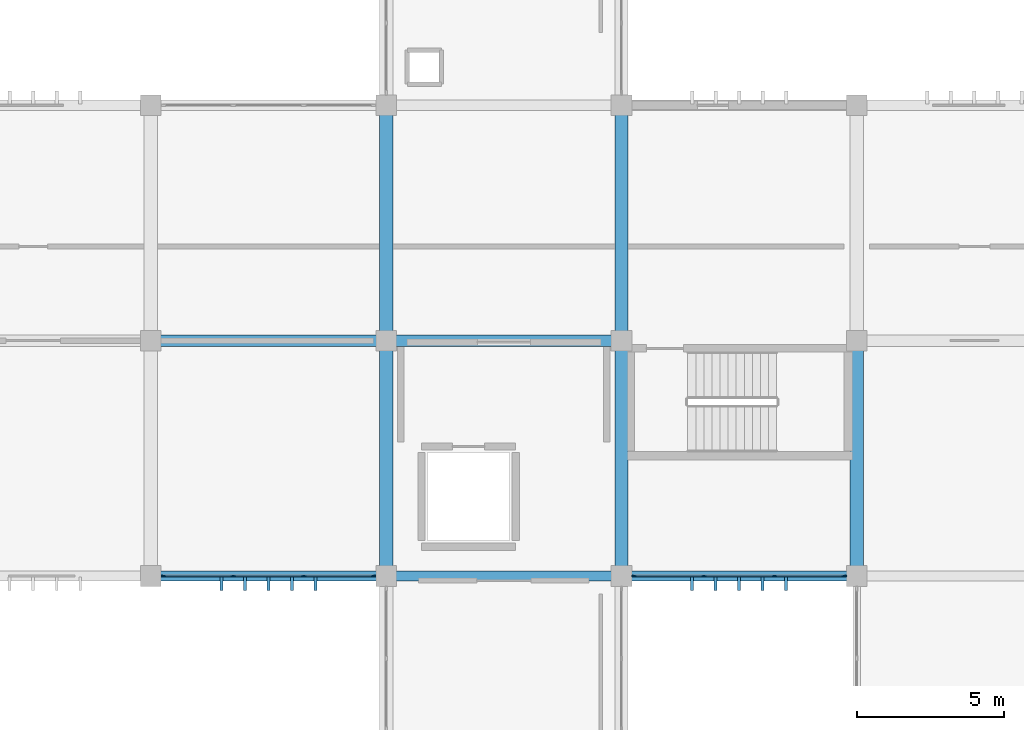
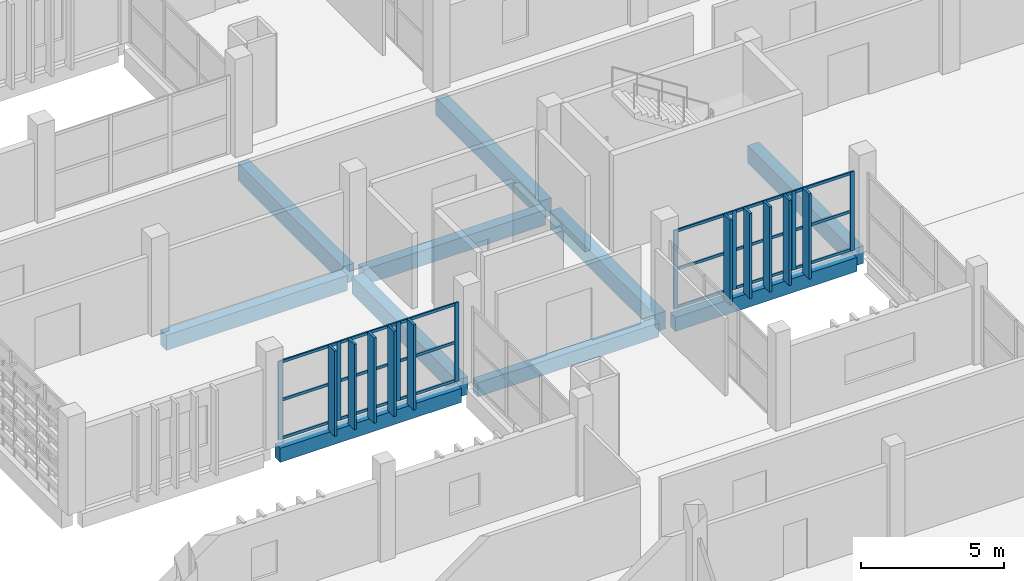
# One storey, part 58 of 137: 36 members, 10 beams, 2 elements without a shape of their own.
"""IFC4 building model written with IfcOpenShell, lengths in metres."""

from ifc_helpers import new_model, si_unit, direction, frame, origin, origin_2d, place, context, subcontext, project, spatial, rectangle, extrude, material, layer, layer_set, material_profile, profile_set, type_object, element, aggregate, save


model = new_model("IFC4")

# Units and contexts
model_context = context("Model", 3, precision=1e-05, world=origin(), true_north=direction((0.0, 1.0)))
body_context = subcontext(model_context, "Body", "Model", "MODEL_VIEW")
ifc_project = project(units=[si_unit("LENGTHUNIT", "METRE"), si_unit("AREAUNIT", "SQUARE_METRE"), si_unit("VOLUMEUNIT", "CUBIC_METRE"), si_unit("PLANEANGLEUNIT", "RADIAN"), si_unit("MASSUNIT", "GRAM", prefix="KILO")], contexts=[model_context])

# Site, building, storey
site_placement = place(None, origin())
site = spatial("IfcSite", under=ifc_project, at=site_placement, CompositionType="ELEMENT")
building_placement = place(site_placement, origin())
building = spatial("IfcBuilding", under=site, at=building_placement, Name="Jelvoka-Kovrelna Polytechnic", CompositionType="ELEMENT")
storey_placement = place(building_placement, frame((0.0, 0.0, 9.60009765625)))
storey = spatial("IfcBuildingStorey", under=building, at=storey_placement, Name="L03", CompositionType="ELEMENT", Elevation=9.60009765625)

# Beams
ifc_material_1 = material(Name="Concrete C40/50", Category="concrete")
ifc_material_profile_1 = material_profile(ifc_material_1, rectangle(XDim=0.39990234375, YDim=0.64990234375, at=origin_2d()), Name="RC 400x650")
ifc_profile_set_1 = profile_set([ifc_material_profile_1], Name="Concrete C40/50")
beam_type_1 = type_object("IfcBeamType", Name="Beam_RC_400x650", PredefinedType="BEAM", material=ifc_profile_set_1)
for number, where, z_axis, x_axis, name in (
    (1, (136.330078125, 40.0, -0.590087890625), (1.0, 0.0, 0.0), (0.0, 1.0, 0.0), "L03 beam 0968"),
    (2, (144.330078125, 40.0, -0.590087890625), (1.0, 0.0, 0.0), (0.0, 1.0, 0.0), "L03 beam 0969"),
):
    element("IfcBeam", number, at=place(storey_placement, frame(where, z_axis=z_axis, x_axis=x_axis)), inside=storey, type_object=beam_type_1, Name=name, PredefinedType="BEAM", context=body_context, shape_type="SweptSolid", body=[
        extrude(rectangle(XDim=0.39990234375, YDim=0.64990234375, at=origin_2d()), origin(), (0.0, 0.0, 1.0), 7.33984375),
    ])
ifc_material_2 = material(Name="Concrete C40/50", Category="concrete")
ifc_material_profile_2 = material_profile(ifc_material_2, rectangle(XDim=0.449951171875, YDim=0.75, at=origin_2d()), Name="RC 450x750")
ifc_profile_set_2 = profile_set([ifc_material_profile_2], Name="Concrete C40/50")
beam_type_2 = type_object("IfcBeamType", Name="Beam_RC_450x750", PredefinedType="BEAM", material=ifc_profile_set_2)
for number, where, z_axis, x_axis, name in (
    (3, (144.0, 32.330078125, -0.64013671875), (0.0, 1.0, 0.0), (-1.0, 0.0, 0.0), "L03 beam 0988"),
    (4, (144.0, 40.330078125, -0.64013671875), (0.0, 1.0, 0.0), (-1.0, 0.0, 0.0), "L03 beam 0989"),
    (5, (152.0, 32.330078125, -0.64013671875), (0.0, 1.0, 0.0), (-1.0, 0.0, 0.0), "L03 beam 0990"),
    (6, (152.0, 40.330078125, -0.64013671875), (0.0, 1.0, 0.0), (-1.0, 0.0, 0.0), "L03 beam 0991"),
    (7, (160.0, 32.330078125, -0.64013671875), (0.0, 1.0, 0.0), (-1.0, 0.0, 0.0), "L03 beam 0992"),
):
    element("IfcBeam", number, at=place(storey_placement, frame(where, z_axis=z_axis, x_axis=x_axis)), inside=storey, type_object=beam_type_2, Name=name, PredefinedType="BEAM", context=body_context, shape_type="SweptSolid", body=[
        extrude(rectangle(XDim=0.449951171875, YDim=0.75, at=origin_2d()), origin(), (0.0, 0.0, 1.0), 7.33984375),
    ])

# Members
ifc_material_3 = material(Name="Precast concrete C40/50", Category="concrete")
ifc_material_profile_3 = material_profile(ifc_material_3, rectangle(XDim=0.10009765625, YDim=0.449951171875, at=origin_2d()), Name="PC 100x450")
ifc_profile_set_3 = profile_set([ifc_material_profile_3], Name="Precast concrete C40/50")
member_type_1 = type_object("IfcMemberType", Name="Louvre_Fin_100x450", PredefinedType="USERDEFINED", material=ifc_profile_set_3)
for number, where, z_axis, x_axis, name in (
    (8, (138.39990234375, 31.735107421875, -0.27001953125), (0.0, 0.0, 1.0), (1.0, 0.0, 0.0), "L03 B2E south vertical solar louvre fin 0946"),
    (9, (139.199951171875, 31.735107421875, -0.27001953125), (0.0, 0.0, 1.0), (1.0, 0.0, 0.0), "L03 B2E south vertical solar louvre fin 0947"),
    (10, (140.0, 31.735107421875, -0.27001953125), (0.0, 0.0, 1.0), (1.0, 0.0, 0.0), "L03 B2E south vertical solar louvre fin 0948"),
    (11, (140.800048828125, 31.735107421875, -0.27001953125), (0.0, 0.0, 1.0), (1.0, 0.0, 0.0), "L03 B2E south vertical solar louvre fin 0949"),
    (12, (141.60009765625, 31.735107421875, -0.27001953125), (0.0, 0.0, 1.0), (1.0, 0.0, 0.0), "L03 B2E south vertical solar louvre fin 0950"),
    (13, (154.39990234375, 31.735107421875, -0.27001953125), (0.0, 0.0, 1.0), (1.0, 0.0, 0.0), "L03 B2E south vertical solar louvre fin 0951"),
    (14, (155.199951171875, 31.735107421875, -0.27001953125), (0.0, 0.0, 1.0), (1.0, 0.0, 0.0), "L03 B2E south vertical solar louvre fin 0952"),
    (15, (156.0, 31.735107421875, -0.27001953125), (0.0, 0.0, 1.0), (1.0, 0.0, 0.0), "L03 B2E south vertical solar louvre fin 0953"),
    (16, (156.800048828125, 31.735107421875, -0.27001953125), (0.0, 0.0, 1.0), (1.0, 0.0, 0.0), "L03 B2E south vertical solar louvre fin 0954"),
    (17, (157.60009765625, 31.735107421875, -0.27001953125), (0.0, 0.0, 1.0), (1.0, 0.0, 0.0), "L03 B2E south vertical solar louvre fin 0955"),
):
    element("IfcMember", number, at=place(storey_placement, frame(where, z_axis=z_axis, x_axis=x_axis)), inside=storey, type_object=member_type_1, Name=name, ObjectType="SUNSHADE", PredefinedType="USERDEFINED", context=body_context, shape_type="SweptSolid", body=[
        extrude(rectangle(XDim=0.10009765625, YDim=0.449951171875, at=origin_2d()), origin(), (0.0, 0.0, 1.0), 3.64501953125),
    ])

# Curtain wall, members
ifc_material_4 = material(Name="Anodised aluminium 6063-T6", Category="aluminium")
ifc_layer = layer(ifc_material_4, 0.159912109375)
ifc_layer_set = layer_set([ifc_layer], Name="Anodised aluminium 6063-T6")
curtain_wall_type = type_object("IfcCurtainWallType", Name="CW_Recessed_A", PredefinedType="NOTDEFINED", material=ifc_layer_set)
curtain_wall_1_placement = place(storey_placement, origin())
curtain_wall_1 = element("IfcCurtainWall", 18, at=curtain_wall_1_placement, inside=storey, type_object=curtain_wall_type, Name="L03 glazed curtain wall 054", PredefinedType="NOTDEFINED")
ifc_material_5 = material(Name="Anodised aluminium 6063-T6", Category="aluminium")
ifc_material_profile_4 = material_profile(ifc_material_5, rectangle(XDim=0.06005859375, YDim=0.159912109375, at=origin_2d()), Name="ALU 60x160")
ifc_profile_set_4 = profile_set([ifc_material_profile_4], Name="Anodised aluminium 6063-T6")
member_type_2 = type_object("IfcMemberType", Name="Mullion_M-01", PredefinedType="MULLION", material=ifc_profile_set_4)
member_1_placement = place(storey_placement, frame((143.570068359375, 32.0, -0.02490234375), z_axis=(0.0, 0.0, 1.0), x_axis=(0.0, -1.0, 0.0)))
member_1 = element("IfcMember", 19, at=member_1_placement, type_object=member_type_2, Name="CW-01 mullion 1", PredefinedType="MULLION", context=body_context, shape_type="SweptSolid", body=[
    extrude(rectangle(XDim=0.06005859375, YDim=0.159912109375, at=origin_2d()), origin(), (0.0, 0.0, 1.0), 3.375),
])
member_2_placement = place(storey_placement, frame((141.199951171875, 32.0, -0.02490234375), z_axis=(0.0, 0.0, 1.0), x_axis=(0.0, -1.0, 0.0)))
member_2 = element("IfcMember", 20, at=member_2_placement, type_object=member_type_2, Name="CW-01 mullion 2", PredefinedType="MULLION", context=body_context, shape_type="SweptSolid", body=[
    extrude(rectangle(XDim=0.06005859375, YDim=0.159912109375, at=origin_2d()), origin(), (0.0, 0.0, 1.0), 3.375),
])
member_3_placement = place(storey_placement, frame((138.800048828125, 32.0, -0.02490234375), z_axis=(0.0, 0.0, 1.0), x_axis=(0.0, -1.0, 0.0)))
member_3 = element("IfcMember", 21, at=member_3_placement, type_object=member_type_2, Name="CW-01 mullion 3", PredefinedType="MULLION", context=body_context, shape_type="SweptSolid", body=[
    extrude(rectangle(XDim=0.06005859375, YDim=0.159912109375, at=origin_2d()), origin(), (0.0, 0.0, 1.0), 3.375),
])
member_4_placement = place(storey_placement, frame((136.429931640625, 32.0, -0.02490234375), z_axis=(0.0, 0.0, 1.0), x_axis=(0.0, -1.0, 0.0)))
member_4 = element("IfcMember", 22, at=member_4_placement, type_object=member_type_2, Name="CW-01 mullion 4", PredefinedType="MULLION", context=body_context, shape_type="SweptSolid", body=[
    extrude(rectangle(XDim=0.06005859375, YDim=0.159912109375, at=origin_2d()), origin(), (0.0, 0.0, 1.0), 3.375),
])

curtain_wall_2_placement = place(storey_placement, origin())
curtain_wall_2 = element("IfcCurtainWall", 23, at=curtain_wall_2_placement, inside=storey, type_object=curtain_wall_type, Name="L03 glazed curtain wall 056", PredefinedType="NOTDEFINED")
member_5_placement = place(storey_placement, frame((159.570068359375, 32.0, -0.02490234375), z_axis=(0.0, 0.0, 1.0), x_axis=(0.0, -1.0, 0.0)))
member_5 = element("IfcMember", 24, at=member_5_placement, type_object=member_type_2, Name="CW-01 mullion 1", PredefinedType="MULLION", context=body_context, shape_type="SweptSolid", body=[
    extrude(rectangle(XDim=0.06005859375, YDim=0.159912109375, at=origin_2d()), origin(), (0.0, 0.0, 1.0), 3.375),
])
member_6_placement = place(storey_placement, frame((157.199951171875, 32.0, -0.02490234375), z_axis=(0.0, 0.0, 1.0), x_axis=(0.0, -1.0, 0.0)))
member_6 = element("IfcMember", 25, at=member_6_placement, type_object=member_type_2, Name="CW-01 mullion 2", PredefinedType="MULLION", context=body_context, shape_type="SweptSolid", body=[
    extrude(rectangle(XDim=0.06005859375, YDim=0.159912109375, at=origin_2d()), origin(), (0.0, 0.0, 1.0), 3.375),
])
member_7_placement = place(storey_placement, frame((154.800048828125, 32.0, -0.02490234375), z_axis=(0.0, 0.0, 1.0), x_axis=(0.0, -1.0, 0.0)))
member_7 = element("IfcMember", 26, at=member_7_placement, type_object=member_type_2, Name="CW-01 mullion 3", PredefinedType="MULLION", context=body_context, shape_type="SweptSolid", body=[
    extrude(rectangle(XDim=0.06005859375, YDim=0.159912109375, at=origin_2d()), origin(), (0.0, 0.0, 1.0), 3.375),
])
member_8_placement = place(storey_placement, frame((152.429931640625, 32.0, -0.02490234375), z_axis=(0.0, 0.0, 1.0), x_axis=(0.0, -1.0, 0.0)))
member_8 = element("IfcMember", 27, at=member_8_placement, type_object=member_type_2, Name="CW-01 mullion 4", PredefinedType="MULLION", context=body_context, shape_type="SweptSolid", body=[
    extrude(rectangle(XDim=0.06005859375, YDim=0.159912109375, at=origin_2d()), origin(), (0.0, 0.0, 1.0), 3.375),
])

# Beams
ifc_material_6 = material(Name="Concrete C40/50", Category="concrete")
ifc_material_profile_5 = material_profile(ifc_material_6, rectangle(XDim=0.35009765625, YDim=0.60009765625, at=origin_2d()), Name="RC 350x600")
ifc_profile_set_5 = profile_set([ifc_material_profile_5], Name="Concrete C40/50")
beam_type_3 = type_object("IfcBeamType", Name="Spandrel_RC_350x600", PredefinedType="SPANDREL", material=ifc_profile_set_5)
for number, where, z_axis, x_axis, name in (
    (28, (136.330078125, 32.0, -0.565185546875), (1.0, 0.0, 0.0), (0.0, 1.0, 0.0), "L03 beam 0964"),
    (29, (144.330078125, 32.0, -0.565185546875), (1.0, 0.0, 0.0), (0.0, 1.0, 0.0), "L03 beam 0965"),
    (30, (152.330078125, 32.0, -0.565185546875), (1.0, 0.0, 0.0), (0.0, 1.0, 0.0), "L03 beam 0966"),
):
    element("IfcBeam", number, at=place(storey_placement, frame(where, z_axis=z_axis, x_axis=x_axis)), inside=storey, type_object=beam_type_3, Name=name, PredefinedType="SPANDREL", context=body_context, shape_type="SweptSolid", body=[
        extrude(rectangle(XDim=0.35009765625, YDim=0.60009765625, at=origin_2d()), origin(), (0.0, 0.0, 1.0), 7.33984375),
    ])

# Member
ifc_material_7 = material(Name="Anodised aluminium 6063-T6", Category="aluminium")
ifc_material_profile_6 = material_profile(ifc_material_7, rectangle(XDim=0.06005859375, YDim=0.1201171875, at=origin_2d()), Name="ALU 60x120")
ifc_profile_set_6 = profile_set([ifc_material_profile_6], Name="Anodised aluminium 6063-T6")
member_type_3 = type_object("IfcMemberType", Name="Transom_T-01", PredefinedType="USERDEFINED", material=ifc_profile_set_6)
member_9_placement = place(storey_placement, frame((143.5400390625, 32.0, 0.02978515625), z_axis=(-1.0, 0.0, 0.0), x_axis=(0.0, -1.0, 0.0)))
member_9 = element("IfcMember", 31, at=member_9_placement, type_object=member_type_3, Name="CW-01 transom 1.1", ObjectType="TRANSOM", PredefinedType="USERDEFINED", context=body_context, shape_type="SweptSolid", body=[
    extrude(rectangle(XDim=0.06005859375, YDim=0.1201171875, at=origin_2d()), origin(), (0.0, 0.0, 1.0), 2.31005859375),
])

member_10_placement = place(storey_placement, frame((143.5400390625, 32.0, 1.662353515625), z_axis=(-1.0, 0.0, 0.0), x_axis=(0.0, -1.0, 0.0)))
member_10 = element("IfcMember", 32, at=member_10_placement, type_object=member_type_3, Name="CW-01 transom 1.2", ObjectType="TRANSOM", PredefinedType="USERDEFINED", context=body_context, shape_type="SweptSolid", body=[
    extrude(rectangle(XDim=0.06005859375, YDim=0.1201171875, at=origin_2d()), origin(), (0.0, 0.0, 1.0), 2.31005859375),
])

member_11_placement = place(storey_placement, frame((143.5400390625, 32.0, 3.294921875), z_axis=(-1.0, 0.0, 0.0), x_axis=(0.0, -1.0, 0.0)))
member_11 = element("IfcMember", 33, at=member_11_placement, type_object=member_type_3, Name="CW-01 transom 1.3", ObjectType="TRANSOM", PredefinedType="USERDEFINED", context=body_context, shape_type="SweptSolid", body=[
    extrude(rectangle(XDim=0.06005859375, YDim=0.1201171875, at=origin_2d()), origin(), (0.0, 0.0, 1.0), 2.31005859375),
])

member_12_placement = place(storey_placement, frame((141.169921875, 32.0, 0.02978515625), z_axis=(-1.0, 0.0, 0.0), x_axis=(0.0, -1.0, 0.0)))
member_12 = element("IfcMember", 34, at=member_12_placement, type_object=member_type_3, Name="CW-01 transom 2.1", ObjectType="TRANSOM", PredefinedType="USERDEFINED", context=body_context, shape_type="SweptSolid", body=[
    extrude(rectangle(XDim=0.06005859375, YDim=0.1201171875, at=origin_2d()), origin(), (0.0, 0.0, 1.0), 2.33984375),
])

member_13_placement = place(storey_placement, frame((141.169921875, 32.0, 1.662353515625), z_axis=(-1.0, 0.0, 0.0), x_axis=(0.0, -1.0, 0.0)))
member_13 = element("IfcMember", 35, at=member_13_placement, type_object=member_type_3, Name="CW-01 transom 2.2", ObjectType="TRANSOM", PredefinedType="USERDEFINED", context=body_context, shape_type="SweptSolid", body=[
    extrude(rectangle(XDim=0.06005859375, YDim=0.1201171875, at=origin_2d()), origin(), (0.0, 0.0, 1.0), 2.33984375),
])

member_14_placement = place(storey_placement, frame((141.169921875, 32.0, 3.294921875), z_axis=(-1.0, 0.0, 0.0), x_axis=(0.0, -1.0, 0.0)))
member_14 = element("IfcMember", 36, at=member_14_placement, type_object=member_type_3, Name="CW-01 transom 2.3", ObjectType="TRANSOM", PredefinedType="USERDEFINED", context=body_context, shape_type="SweptSolid", body=[
    extrude(rectangle(XDim=0.06005859375, YDim=0.1201171875, at=origin_2d()), origin(), (0.0, 0.0, 1.0), 2.33984375),
])

member_15_placement = place(storey_placement, frame((138.77001953125, 32.0, 0.02978515625), z_axis=(-1.0, 0.0, 0.0), x_axis=(0.0, -1.0, 0.0)))
member_15 = element("IfcMember", 37, at=member_15_placement, type_object=member_type_3, Name="CW-01 transom 3.1", ObjectType="TRANSOM", PredefinedType="USERDEFINED", context=body_context, shape_type="SweptSolid", body=[
    extrude(rectangle(XDim=0.06005859375, YDim=0.1201171875, at=origin_2d()), origin(), (0.0, 0.0, 1.0), 2.31005859375),
])

member_16_placement = place(storey_placement, frame((138.77001953125, 32.0, 1.662353515625), z_axis=(-1.0, 0.0, 0.0), x_axis=(0.0, -1.0, 0.0)))
member_16 = element("IfcMember", 38, at=member_16_placement, type_object=member_type_3, Name="CW-01 transom 3.2", ObjectType="TRANSOM", PredefinedType="USERDEFINED", context=body_context, shape_type="SweptSolid", body=[
    extrude(rectangle(XDim=0.06005859375, YDim=0.1201171875, at=origin_2d()), origin(), (0.0, 0.0, 1.0), 2.31005859375),
])

member_17_placement = place(storey_placement, frame((138.77001953125, 32.0, 3.294921875), z_axis=(-1.0, 0.0, 0.0), x_axis=(0.0, -1.0, 0.0)))
member_17 = element("IfcMember", 39, at=member_17_placement, type_object=member_type_3, Name="CW-01 transom 3.3", ObjectType="TRANSOM", PredefinedType="USERDEFINED", context=body_context, shape_type="SweptSolid", body=[
    extrude(rectangle(XDim=0.06005859375, YDim=0.1201171875, at=origin_2d()), origin(), (0.0, 0.0, 1.0), 2.31005859375),
])

aggregate(curtain_wall_1, [member_1, member_2, member_3, member_4, member_9, member_10, member_11, member_12, member_13, member_14, member_15, member_16, member_17])

member_18_placement = place(storey_placement, frame((159.5400390625, 32.0, 0.02978515625), z_axis=(-1.0, 0.0, 0.0), x_axis=(0.0, -1.0, 0.0)))
member_18 = element("IfcMember", 40, at=member_18_placement, type_object=member_type_3, Name="CW-01 transom 1.1", ObjectType="TRANSOM", PredefinedType="USERDEFINED", context=body_context, shape_type="SweptSolid", body=[
    extrude(rectangle(XDim=0.06005859375, YDim=0.1201171875, at=origin_2d()), origin(), (0.0, 0.0, 1.0), 2.31005859375),
])

member_19_placement = place(storey_placement, frame((159.5400390625, 32.0, 1.662353515625), z_axis=(-1.0, 0.0, 0.0), x_axis=(0.0, -1.0, 0.0)))
member_19 = element("IfcMember", 41, at=member_19_placement, type_object=member_type_3, Name="CW-01 transom 1.2", ObjectType="TRANSOM", PredefinedType="USERDEFINED", context=body_context, shape_type="SweptSolid", body=[
    extrude(rectangle(XDim=0.06005859375, YDim=0.1201171875, at=origin_2d()), origin(), (0.0, 0.0, 1.0), 2.31005859375),
])

member_20_placement = place(storey_placement, frame((159.5400390625, 32.0, 3.294921875), z_axis=(-1.0, 0.0, 0.0), x_axis=(0.0, -1.0, 0.0)))
member_20 = element("IfcMember", 42, at=member_20_placement, type_object=member_type_3, Name="CW-01 transom 1.3", ObjectType="TRANSOM", PredefinedType="USERDEFINED", context=body_context, shape_type="SweptSolid", body=[
    extrude(rectangle(XDim=0.06005859375, YDim=0.1201171875, at=origin_2d()), origin(), (0.0, 0.0, 1.0), 2.31005859375),
])

member_21_placement = place(storey_placement, frame((157.169921875, 32.0, 0.02978515625), z_axis=(-1.0, 0.0, 0.0), x_axis=(0.0, -1.0, 0.0)))
member_21 = element("IfcMember", 43, at=member_21_placement, type_object=member_type_3, Name="CW-01 transom 2.1", ObjectType="TRANSOM", PredefinedType="USERDEFINED", context=body_context, shape_type="SweptSolid", body=[
    extrude(rectangle(XDim=0.06005859375, YDim=0.1201171875, at=origin_2d()), origin(), (0.0, 0.0, 1.0), 2.33984375),
])

member_22_placement = place(storey_placement, frame((157.169921875, 32.0, 1.662353515625), z_axis=(-1.0, 0.0, 0.0), x_axis=(0.0, -1.0, 0.0)))
member_22 = element("IfcMember", 44, at=member_22_placement, type_object=member_type_3, Name="CW-01 transom 2.2", ObjectType="TRANSOM", PredefinedType="USERDEFINED", context=body_context, shape_type="SweptSolid", body=[
    extrude(rectangle(XDim=0.06005859375, YDim=0.1201171875, at=origin_2d()), origin(), (0.0, 0.0, 1.0), 2.33984375),
])

member_23_placement = place(storey_placement, frame((157.169921875, 32.0, 3.294921875), z_axis=(-1.0, 0.0, 0.0), x_axis=(0.0, -1.0, 0.0)))
member_23 = element("IfcMember", 45, at=member_23_placement, type_object=member_type_3, Name="CW-01 transom 2.3", ObjectType="TRANSOM", PredefinedType="USERDEFINED", context=body_context, shape_type="SweptSolid", body=[
    extrude(rectangle(XDim=0.06005859375, YDim=0.1201171875, at=origin_2d()), origin(), (0.0, 0.0, 1.0), 2.33984375),
])

member_24_placement = place(storey_placement, frame((154.77001953125, 32.0, 0.02978515625), z_axis=(-1.0, 0.0, 0.0), x_axis=(0.0, -1.0, 0.0)))
member_24 = element("IfcMember", 46, at=member_24_placement, type_object=member_type_3, Name="CW-01 transom 3.1", ObjectType="TRANSOM", PredefinedType="USERDEFINED", context=body_context, shape_type="SweptSolid", body=[
    extrude(rectangle(XDim=0.06005859375, YDim=0.1201171875, at=origin_2d()), origin(), (0.0, 0.0, 1.0), 2.31005859375),
])

member_25_placement = place(storey_placement, frame((154.77001953125, 32.0, 1.662353515625), z_axis=(-1.0, 0.0, 0.0), x_axis=(0.0, -1.0, 0.0)))
member_25 = element("IfcMember", 47, at=member_25_placement, type_object=member_type_3, Name="CW-01 transom 3.2", ObjectType="TRANSOM", PredefinedType="USERDEFINED", context=body_context, shape_type="SweptSolid", body=[
    extrude(rectangle(XDim=0.06005859375, YDim=0.1201171875, at=origin_2d()), origin(), (0.0, 0.0, 1.0), 2.31005859375),
])

member_26_placement = place(storey_placement, frame((154.77001953125, 32.0, 3.294921875), z_axis=(-1.0, 0.0, 0.0), x_axis=(0.0, -1.0, 0.0)))
member_26 = element("IfcMember", 48, at=member_26_placement, type_object=member_type_3, Name="CW-01 transom 3.3", ObjectType="TRANSOM", PredefinedType="USERDEFINED", context=body_context, shape_type="SweptSolid", body=[
    extrude(rectangle(XDim=0.06005859375, YDim=0.1201171875, at=origin_2d()), origin(), (0.0, 0.0, 1.0), 2.31005859375),
])

aggregate(curtain_wall_2, [member_5, member_6, member_7, member_8, member_18, member_19, member_20, member_21, member_22, member_23, member_24, member_25, member_26])

save(model, "model.ifc")
